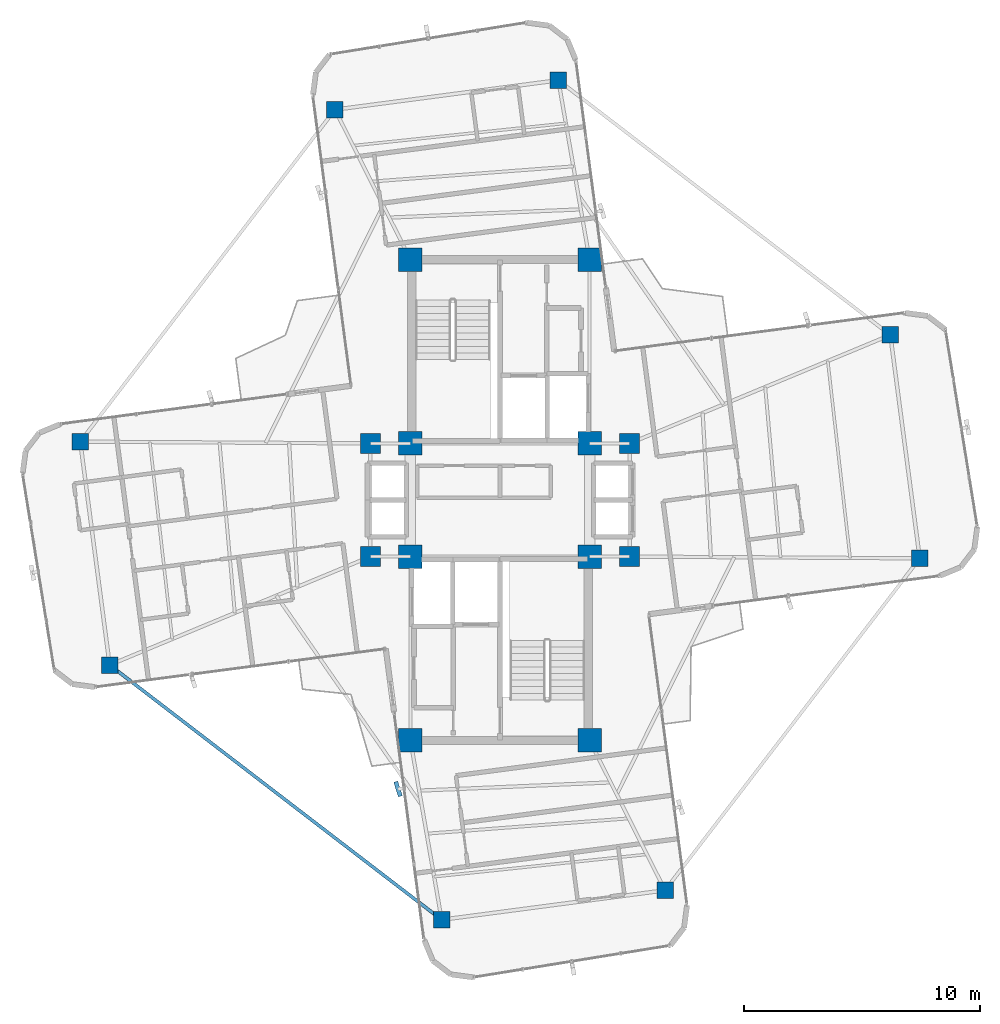
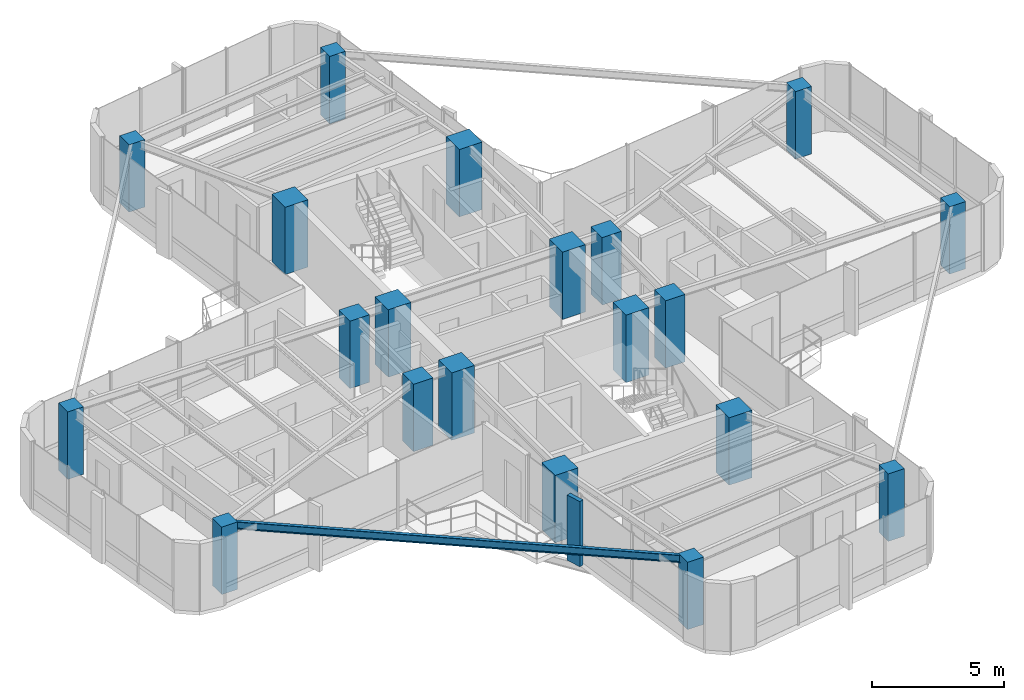
# One storey, part 1 of 22: 20 columns, 1 beam, 1 member, 1 element without a shape of its own.
"""IFC4 building model written with IfcOpenShell, lengths in metres."""

import ifcopenshell
import ifcopenshell.guid

model = None  # the IFC model being written
_history = None  # IfcOwnerHistory: only IFC2X3 demands one
_inside = {}  # id of a spatial element -> (the spatial element, [elements in it])
_under = {}  # id of a project, library or spatial element -> (it, [spatial elements below it])
_declared = {}  # id of a project -> (the project, [libraries it declares])
_typed = {}  # id of a type object -> (the type object, [elements of that type])
_made_of = {}  # id of a material, layer set ... -> (it, [elements and type objects made of it])


def new_model(schema):
    """Start an empty IFC model of exactly this schema.

    Asked for "IFC4X3", IfcOpenShell would pick the latest addendum, in which some entities
    have other attributes; the version numbers below select the first issue.
    IFC2X3 requires an IfcOwnerHistory on every rooted entity: one is made here for all.
    """
    global model, _history
    if schema == "IFC4X3":
        model = ifcopenshell.file(schema_version=(4, 3, 0, 0))
    else:
        model = ifcopenshell.file(schema=schema)
    _inside.clear()
    _under.clear()
    _declared.clear()
    _typed.clear()
    _made_of.clear()
    _history = None
    if model.schema == "IFC2X3":
        org = make("IfcOrganization", Name="unknown")
        user = make(
            "IfcPersonAndOrganization",
            ThePerson=make("IfcPerson", FamilyName="unknown"),
            TheOrganization=org,
        )
        app = make(
            "IfcApplication",
            ApplicationDeveloper=org,
            Version="unknown",
            ApplicationFullName="unknown",
            ApplicationIdentifier="unknown",
        )
        _history = make(
            "IfcOwnerHistory",
            OwningUser=user,
            OwningApplication=app,
            ChangeAction="ADDED",
            CreationDate=0,
        )
    return model


def make(cls, **values):
    """One entity of the class cls with the attributes given. An attribute that is None is left unset."""
    return model.create_entity(
        cls, **{name: value for name, value in values.items() if value is not None}
    )


def rooted(cls, **values):
    """An entity with a GlobalId (a new one), such as an element, a storey or a relation."""
    return make(cls, GlobalId=ifcopenshell.guid.new(), OwnerHistory=_history, **values)


def si_unit(unit_type, name, prefix=None):
    """IfcSIUnit, for example si_unit("LENGTHUNIT", "METRE", prefix="MILLI")."""
    return make("IfcSIUnit", UnitType=unit_type, Prefix=prefix, Name=name)


def assignment(units):
    """IfcUnitAssignment: the units of a project."""
    return None if units is None else make("IfcUnitAssignment", Units=units)


def point(xyz):
    """IfcCartesianPoint."""
    return None if xyz is None else make("IfcCartesianPoint", Coordinates=xyz)


def direction(xyz):
    """IfcDirection."""
    return None if xyz is None else make("IfcDirection", DirectionRatios=xyz)


def frame(location, z_axis=None, x_axis=None):
    """IfcAxis2Placement3D, a coordinate frame: its origin and axes. An axis left out is left unset."""
    return make(
        "IfcAxis2Placement3D",
        Location=point(location),
        Axis=direction(z_axis),
        RefDirection=direction(x_axis),
    )


def frame_2d(location, x_axis=None):
    """IfcAxis2Placement2D, a coordinate frame in the plane: its origin and x axis."""
    return make(
        "IfcAxis2Placement2D", Location=point(location), RefDirection=direction(x_axis)
    )


def origin():
    """The frame at (0, 0, 0) with its axes left unset."""
    return frame((0.0, 0.0, 0.0))


def origin_2d():
    """The frame at (0, 0) in the plane with its x axis left unset."""
    return frame_2d((0.0, 0.0))


def place(relative_to, where):
    """IfcLocalPlacement: puts the frame where relative to a parent placement (None: the world)."""
    return make(
        "IfcLocalPlacement", PlacementRelTo=relative_to, RelativePlacement=where
    )


def context(
    kind, dimensions, precision=None, world=None, true_north=None, identifier=None
):
    """IfcGeometricRepresentationContext, for example the 3D "Model" context."""
    return make(
        "IfcGeometricRepresentationContext",
        ContextIdentifier=identifier,
        ContextType=kind,
        CoordinateSpaceDimension=dimensions,
        Precision=precision,
        WorldCoordinateSystem=world,
        TrueNorth=true_north,
    )


def subcontext(parent, identifier, kind, view, scale=None):
    """IfcGeometricRepresentationSubContext, for example "Body" below "Model"."""
    return make(
        "IfcGeometricRepresentationSubContext",
        ContextIdentifier=identifier,
        ContextType=kind,
        ParentContext=parent,
        TargetScale=scale,
        TargetView=view,
    )


def project(units=None, contexts=None):
    """IfcProject with its units and contexts."""
    return rooted(
        "IfcProject",
        Name="project",
        RepresentationContexts=contexts,
        UnitsInContext=assignment(units),
    )


def spatial(cls, under=None, at=None, **own):
    """A site, building, storey or space (cls), placed at a placement, below another one or the project."""
    s = rooted(cls, ObjectPlacement=at, **own)
    if under is not None:
        _under.setdefault(under.id(), (under, []))[1].append(s)
    return s


def profile(cls, at=None, kind="AREA", **sizes):
    """A parametric profile (cls). Its sizes go by their IFC names, for example OverallWidth=200.0."""
    return make(cls, ProfileType=kind, Position=at, **sizes)


def rectangle(**sizes):
    """IfcRectangleProfileDef."""
    return profile("IfcRectangleProfileDef", **sizes)


def i_section(**sizes):
    """IfcIShapeProfileDef."""
    return profile("IfcIShapeProfileDef", **sizes)


def extrude(swept, where, along, depth):
    """IfcExtrudedAreaSolid: the profile swept, set in the frame where, extruded along a direction by depth."""
    return make(
        "IfcExtrudedAreaSolid",
        SweptArea=swept,
        Position=where,
        ExtrudedDirection=direction(along),
        Depth=depth,
    )


def shape(context_of_items, identifier, shape_type, items):
    """IfcShapeRepresentation: the items that make up one representation, for example the "Body"."""
    return make(
        "IfcShapeRepresentation",
        ContextOfItems=context_of_items,
        RepresentationIdentifier=identifier,
        RepresentationType=shape_type,
        Items=items,
    )


def source(mapping_origin, context_of_items, identifier, shape_type, items):
    """IfcRepresentationMap: a shape defined once, which mapped items show again and again."""
    return make(
        "IfcRepresentationMap",
        MappingOrigin=mapping_origin,
        MappedRepresentation=shape(context_of_items, identifier, shape_type, items),
    )


def transform(
    local_origin,
    x_axis=None,
    y_axis=None,
    z_axis=None,
    scale=None,
    scale2=None,
    scale3=None,
    uniform=True,
):
    """IfcCartesianTransformationOperator3D, or its non-uniform kind. x_axis, y_axis, z_axis: its Axis1, 2, 3."""
    if uniform:
        return make(
            "IfcCartesianTransformationOperator3D",
            Axis1=direction(x_axis),
            Axis2=direction(y_axis),
            LocalOrigin=point(local_origin),
            Scale=scale,
            Axis3=direction(z_axis),
        )
    return make(
        "IfcCartesianTransformationOperator3DnonUniform",
        Axis1=direction(x_axis),
        Axis2=direction(y_axis),
        LocalOrigin=point(local_origin),
        Scale=scale,
        Axis3=direction(z_axis),
        Scale2=scale2,
        Scale3=scale3,
    )


def mapped(mapping_source, mapping_target):
    """IfcMappedItem: shows the shape of a source again, moved by a transform."""
    return make(
        "IfcMappedItem", MappingSource=mapping_source, MappingTarget=mapping_target
    )


def material(Name=None, Category=None):
    """IfcMaterial."""
    return make("IfcMaterial", Name=Name, Category=Category)


def material_profile(
    of_material, cross_section, Name=None, Category=None, Priority=None
):
    """IfcMaterialProfile: a cross section and its material."""
    return make(
        "IfcMaterialProfile",
        Name=Name,
        Material=of_material,
        Profile=cross_section,
        Priority=Priority,
        Category=Category,
    )


def profile_set(profiles, Name=None, composite=None):
    """IfcMaterialProfileSet."""
    return make(
        "IfcMaterialProfileSet",
        Name=Name,
        MaterialProfiles=profiles,
        CompositeProfile=composite,
    )


def made_of(thing, what):
    """Note that an element or type object is made of a material, layer set ...; save() writes the relation."""
    if what is not None:
        _made_of.setdefault(what.id(), (what, []))[1].append(thing)
    return thing


def type_object(cls, material=None, **own):
    """A type object (cls), such as IfcWallType, which elements share."""
    return made_of(rooted(cls, **own), material)


def element(
    cls,
    number,
    at=None,
    inside=None,
    cuts=None,
    type_object=None,
    material=None,
    context=None,
    identifier="Body",
    shape_type=None,
    held_by="IfcProductDefinitionShape",
    body=None,
    shapes=None,
    **own,
):
    """One element of the class cls, such as IfcWall. Its Tag is "e" and its number.

    at: its placement. inside: the storey or other place that contains it. cuts: it is an
    opening in that element (IfcRelVoidsElement). A single representation is given by context,
    identifier, shape_type and body (its items); several are given by shapes. held_by: the class
    of the entity that holds the representations. save() writes the other relations.
    """
    e = rooted(cls, Tag="e%d" % number, ObjectPlacement=at, **own)
    if body is not None:
        shapes = [shape(context, identifier, shape_type, body)]
    if shapes is not None:
        e.Representation = make(held_by, Representations=shapes)
    if inside is not None:
        _inside.setdefault(inside.id(), (inside, []))[1].append(e)
    if cuts is not None:
        rooted(
            "IfcRelVoidsElement", RelatingBuildingElement=cuts, RelatedOpeningElement=e
        )
    if type_object is not None:
        _typed.setdefault(type_object.id(), (type_object, []))[1].append(e)
    return made_of(e, material)


def aggregate(whole, parts):
    """IfcRelAggregates: a whole, such as a stair, and the parts it consists of."""
    return rooted("IfcRelAggregates", RelatingObject=whole, RelatedObjects=parts)


def save(model, path):
    """Write the relations noted so far, then the file.

    IfcRelAggregates (storeys below a building ...), IfcRelContainedInSpatialStructure (elements
    in a storey), IfcRelDefinesByType, IfcRelAssociatesMaterial and IfcRelDeclares: one each for
    every whole, place, type object, material and project.
    """
    for whole, parts in _under.values():
        aggregate(whole, parts)
    for where, things in _inside.values():
        rooted(
            "IfcRelContainedInSpatialStructure",
            RelatedElements=things,
            RelatingStructure=where,
        )
    for kind, things in _typed.values():
        rooted("IfcRelDefinesByType", RelatedObjects=things, RelatingType=kind)
    for what, things in _made_of.values():
        rooted("IfcRelAssociatesMaterial", RelatedObjects=things, RelatingMaterial=what)
    for by, libraries in _declared.values():
        rooted("IfcRelDeclares", RelatingContext=by, RelatedDefinitions=libraries)
    model.write(path)


model = new_model("IFC4")

# Units and contexts
model_context = context("Model", 3, precision=1e-05, world=origin(), true_north=direction((0.0, 1.0)))
body_context = subcontext(model_context, "Body", "Model", "MODEL_VIEW")
ifc_project = project(units=[si_unit("LENGTHUNIT", "METRE"), si_unit("AREAUNIT", "SQUARE_METRE"), si_unit("VOLUMEUNIT", "CUBIC_METRE"), si_unit("PLANEANGLEUNIT", "RADIAN"), si_unit("MASSUNIT", "GRAM", prefix="KILO")], contexts=[model_context])

# Site, building, storey
site_placement = place(None, origin())
site = spatial("IfcSite", under=ifc_project, at=site_placement, CompositionType="ELEMENT")
building_placement = place(site_placement, origin())
building = spatial("IfcBuilding", under=site, at=building_placement, Name="Sahyath Konkavel Grand Hotel", CompositionType="ELEMENT")
storey_placement = place(building_placement, frame((0.0, 0.0, 234.449951171875)))
storey = spatial("IfcBuildingStorey", under=building, at=storey_placement, Name="L65", CompositionType="ELEMENT", Elevation=234.449951171875)

# Columns
ifc_material_1 = material(Name="Concrete C50/60", Category="concrete")
ifc_material_profile_1 = material_profile(ifc_material_1, rectangle(XDim=1.0, YDim=1.0, at=origin_2d()), Name="RC 1000x1000")
ifc_profile_set_1 = profile_set([ifc_material_profile_1], Name="Concrete C50/60")
column_type_1 = type_object("IfcColumnType", Name="COL-RC1000", PredefinedType="COLUMN", material=ifc_profile_set_1)
shared_shape_1 = source(origin(), body_context, "Body", "SweptSolid", [
    extrude(rectangle(XDim=1.0, YDim=1.0, at=origin_2d()), origin(), (0.0, 0.0, 1.0), 3.110107421875),
])
for number, where, z_axis, x_axis, name in (
    (1, (-3.800048828125, 2.39990234375, 0.0), (0.0, 0.0, 1.0), (1.0, 0.0, 0.0), "L65 Core Boundary Column NC-SW"),
    (2, (3.800048828125, 2.39990234375, 0.0), (0.0, 0.0, 1.0), (1.0, 0.0, 0.0), "L65 Core Boundary Column NC-SE"),
    (3, (-3.800048828125, 10.199951171875, 0.0), (0.0, 0.0, 1.0), (1.0, 0.0, 0.0), "L65 Core Boundary Column NC-NW"),
    (4, (3.800048828125, 10.199951171875, 0.0), (0.0, 0.0, 1.0), (1.0, 0.0, 0.0), "L65 Core Boundary Column NC-NE"),
    (5, (-3.800048828125, -2.39990234375, 0.0), (0.0, 0.0, 1.0), (1.0, 0.0, 0.0), "L65 Core Boundary Column SC-NW"),
    (6, (3.800048828125, -2.39990234375, 0.0), (0.0, 0.0, 1.0), (1.0, 0.0, 0.0), "L65 Core Boundary Column SC-NE"),
    (7, (-3.800048828125, -10.199951171875, 0.0), (0.0, 0.0, 1.0), (1.0, 0.0, 0.0), "L65 Core Boundary Column SC-SW"),
    (8, (3.800048828125, -10.199951171875, 0.0), (0.0, 0.0, 1.0), (1.0, 0.0, 0.0), "L65 Core Boundary Column SC-SE"),
):
    element("IfcColumn", number, at=place(storey_placement, frame(where, z_axis=z_axis, x_axis=x_axis)), inside=storey, type_object=column_type_1, Name=name, PredefinedType="COLUMN", context=body_context, shape_type="MappedRepresentation", body=[
        mapped(shared_shape_1, transform((0.0, 0.0, 0.0), scale=1.0)),
    ])
ifc_material_2 = material(Name="Concrete C40/50", Category="concrete")
ifc_material_profile_2 = material_profile(ifc_material_2, rectangle(XDim=0.85009765625, YDim=0.85009765625, at=origin_2d()), Name="RC 850x850")
ifc_profile_set_2 = profile_set([ifc_material_profile_2], Name="Concrete C40/50")
column_type_2 = type_object("IfcColumnType", Name="COL-RC850", PredefinedType="COLUMN", material=ifc_profile_set_2)
shared_shape_2 = source(origin(), body_context, "Body", "SweptSolid", [
    extrude(rectangle(XDim=0.85009765625, YDim=0.85009765625, at=origin_2d()), origin(), (0.0, 0.0, 1.0), 3.110107421875),
])
for number, where, z_axis, x_axis, name in (
    (9, (5.5, 2.39990234375, 0.0), (0.0, 0.0, 1.0), (1.0, 0.0, 0.0), "L65 Central Spine Column HB-NE"),
    (10, (-5.5, 2.39990234375, 0.0), (0.0, 0.0, 1.0), (1.0, 0.0, 0.0), "L65 Central Spine Column HB-NW"),
    (11, (5.5, -2.39990234375, 0.0), (0.0, 0.0, 1.0), (1.0, 0.0, 0.0), "L65 Central Spine Column HB-SE"),
    (12, (-5.5, -2.39990234375, 0.0), (0.0, 0.0, 1.0), (1.0, 0.0, 0.0), "L65 Central Spine Column HB-SW"),
):
    element("IfcColumn", number, at=place(storey_placement, frame(where, z_axis=z_axis, x_axis=x_axis)), inside=storey, type_object=column_type_2, Name=name, PredefinedType="COLUMN", context=body_context, shape_type="MappedRepresentation", body=[
        mapped(shared_shape_2, transform((0.0, 0.0, 0.0), scale=1.0)),
    ])
ifc_material_profile_3 = material_profile(ifc_material_2, rectangle(XDim=0.699951171875, YDim=0.699951171875, at=origin_2d()), Name="RC 700x700")
ifc_profile_set_3 = profile_set([ifc_material_profile_3], Name="Concrete C40/50")
column_type_3 = type_object("IfcColumnType", Name="COL-RC700", PredefinedType="COLUMN", material=ifc_profile_set_3)
shared_shape_3 = source(origin(), body_context, "Body", "SweptSolid", [
    extrude(rectangle(XDim=0.699951171875, YDim=0.699951171875, at=origin_2d()), origin(), (0.0, 0.0, 1.0), 3.110107421875),
])
for number, where, z_axis, x_axis, name in (
    (13, (17.80859375, -2.4755859375, 0.0), (0.0, 0.0, 1.0), (1.0, 0.0, 0.0), "L65 Cruciform Wing Column WC-EA"),
    (14, (16.560791015625, 7.00048828125, 0.0), (0.0, 0.0, 1.0), (1.0, 0.0, 0.0), "L65 Cruciform Wing Column WC-EB"),
    (15, (2.4755859375, 17.80859375, 0.0), (0.0, 0.0, 1.0), (1.0, 0.0, 0.0), "L65 Cruciform Wing Column WC-NA"),
    (16, (-7.00048828125, 16.560791015625, 0.0), (0.0, 0.0, 1.0), (1.0, 0.0, 0.0), "L65 Cruciform Wing Column WC-NB"),
    (17, (-17.80859375, 2.4755859375, 0.0), (0.0, 0.0, 1.0), (1.0, 0.0, 0.0), "L65 Cruciform Wing Column WC-WA"),
    (18, (-16.560791015625, -7.00048828125, 0.0), (0.0, 0.0, 1.0), (1.0, 0.0, 0.0), "L65 Cruciform Wing Column WC-WB"),
    (19, (-2.4755859375, -17.80859375, 0.0), (0.0, 0.0, 1.0), (1.0, 0.0, 0.0), "L65 Cruciform Wing Column WC-SA"),
    (20, (7.00048828125, -16.560791015625, 0.0), (0.0, 0.0, 1.0), (1.0, 0.0, 0.0), "L65 Cruciform Wing Column WC-SB"),
):
    element("IfcColumn", number, at=place(storey_placement, frame(where, z_axis=z_axis, x_axis=x_axis)), inside=storey, type_object=column_type_3, Name=name, PredefinedType="COLUMN", context=body_context, shape_type="MappedRepresentation", body=[
        mapped(shared_shape_3, transform((0.0, 0.0, 0.0), scale=1.0)),
    ])

# Beam
ifc_material_3 = material(Name="Steel E350", Category="steel")
ifc_material_profile_4 = material_profile(ifc_material_3, i_section(OverallWidth=0.139892578125, OverallDepth=0.35009765625, WebThickness=0.008056640625, FlangeThickness=0.01416015625, FilletRadius=0.013916015625, at=origin_2d()), Name="ISMB 350")
ifc_profile_set_4 = profile_set([ifc_material_profile_4], Name="Steel E350")
beam_type = type_object("IfcBeamType", Name="BM-ISMB350", PredefinedType="BEAM", material=ifc_profile_set_4)
shared_shape_4 = source(origin(), body_context, "Body", "SweptSolid", [
    extrude(i_section(OverallWidth=0.139892578125, OverallDepth=0.35009765625, WebThickness=0.008056640625, FlangeThickness=0.01416015625, FilletRadius=0.013916015625, at=origin_2d()), origin(), (0.0, 0.0, 1.0), 17.754150390625),
])
beam_placement = place(storey_placement, frame((-16.560791015625, -7.00048828125, 2.93505859375), z_axis=(0.793349328362, -0.608766657421, 0.0), x_axis=(0.608766657421, 0.793349328362, 0.0)))
element("IfcBeam", 21, at=beam_placement, inside=storey, type_object=beam_type, Name="L65 Re-Entrant Tie Beam SW", PredefinedType="BEAM", context=body_context, shape_type="MappedRepresentation", body=[
    mapped(shared_shape_4, transform((0.0, 0.0, 0.0), scale=1.0)),
])

# Curtain wall, member
ifc_material_4 = material(Name="Anodised Bronze Aluminium & Low-E Glazing", Category="aluminium")
curtain_wall_type = type_object("IfcCurtainWallType", Name="CW-ZONE4", PredefinedType="NOTDEFINED", material=ifc_material_4)
curtain_wall_placement = place(storey_placement, origin())
curtain_wall = element("IfcCurtainWall", 22, at=curtain_wall_placement, inside=storey, type_object=curtain_wall_type, Name="L65 Unitised Curtain Wall F24", PredefinedType="NOTDEFINED")
ifc_material_5 = material(Name="Warm Buff Sandstone Cladding on Concrete C50/60", Category="masonry")
ifc_material_profile_5 = material_profile(ifc_material_5, rectangle(XDim=0.179931640625, YDim=0.64990234375, at=origin_2d()), Name="FIN 180x650")
ifc_profile_set_5 = profile_set([ifc_material_profile_5], Name="Warm Buff Sandstone Cladding on Concrete C50/60")
member_type = type_object("IfcMemberType", Name="FIN-SANDSTONE-650", PredefinedType="MULLION", material=ifc_profile_set_5)
shared_shape_5 = source(origin(), body_context, "Body", "SweptSolid", [
    extrude(rectangle(XDim=0.179931640625, YDim=0.64990234375, at=origin_2d()), origin(), (0.0, 0.0, 1.0), 3.010009765625),
])
member_placement = place(storey_placement, frame((-4.325439453125, -12.26318359375, 0.050048828125), z_axis=(0.0, 0.0, 1.0), x_axis=(0.952236042525, 0.30536293049, 0.0)))
member = element("IfcMember", 23, at=member_placement, type_object=member_type, Name="L65 Sandstone Vertical Solar Fin FIN F24-1", PredefinedType="MULLION", context=body_context, shape_type="MappedRepresentation", body=[
    mapped(shared_shape_5, transform((0.0, 0.0, 0.0), scale=1.0)),
])
aggregate(curtain_wall, [member])

save(model, "model.ifc")
